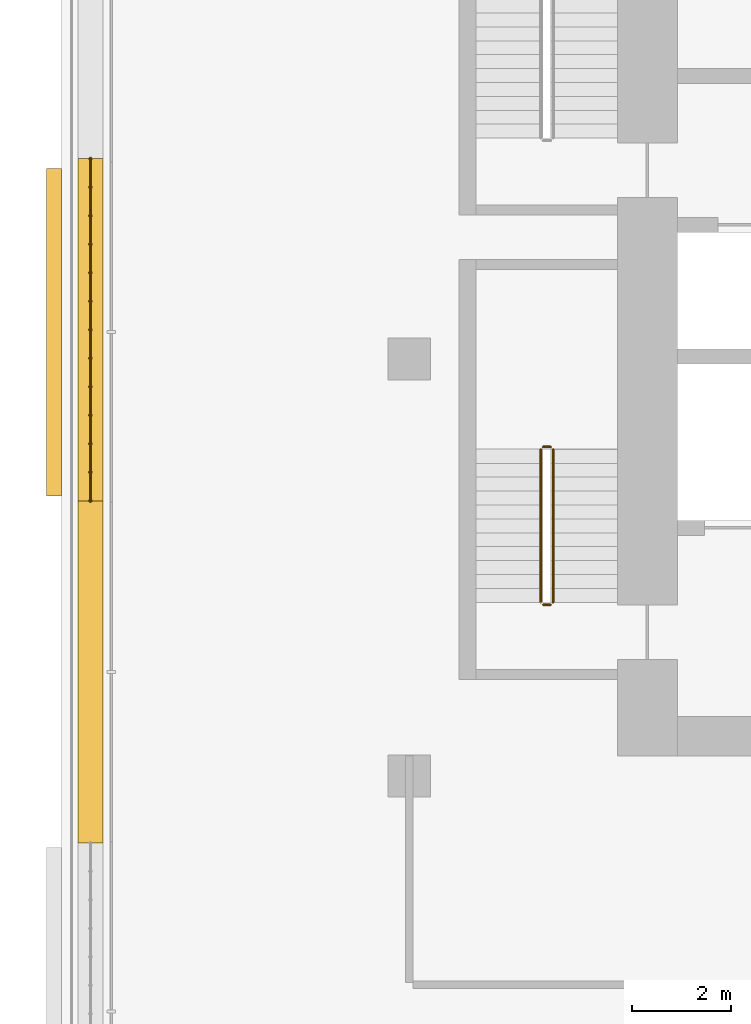
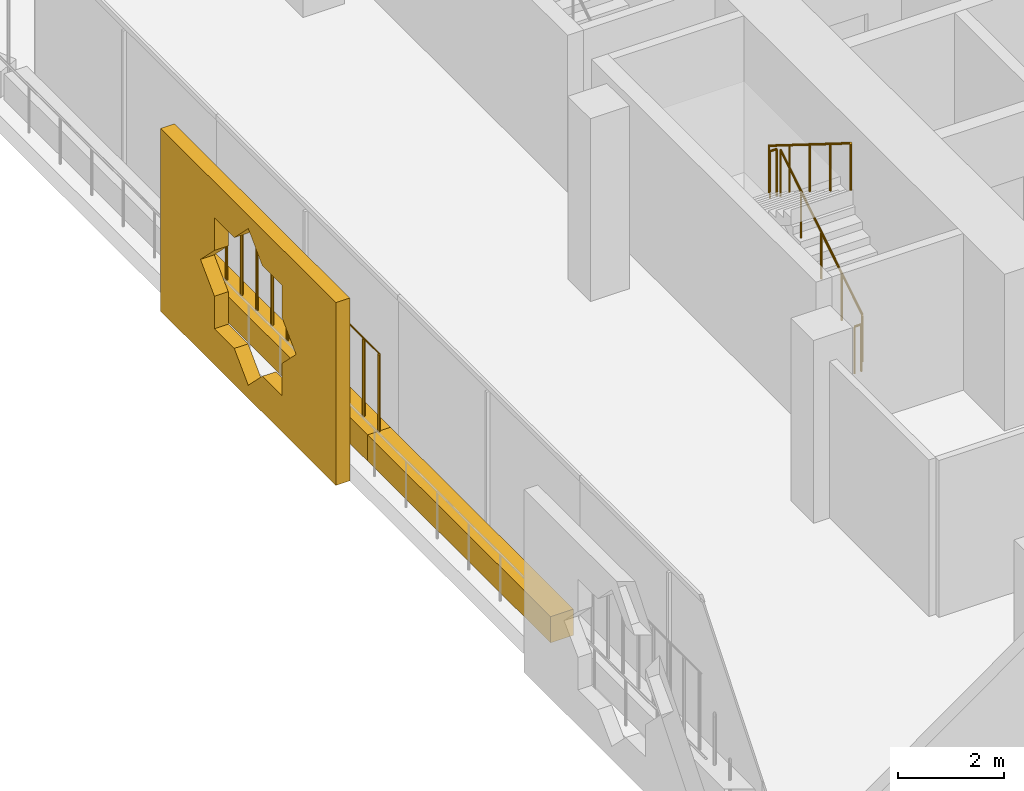
# One storey, part 16 of 22: 5 railings, 3 coverings.
"""IFC4 building model written with IfcOpenShell, lengths in metres."""

from ifc_helpers import new_model, si_unit, direction, frame, origin, origin_2d, place, context, subcontext, project, spatial, polyline, rectangle, circle, outline, extrude, material, material_profile, profile_set, type_object, element, save


model = new_model("IFC4")

# Units and contexts
model_context = context("Model", 3, precision=1e-05, world=origin(), true_north=direction((0.0, 1.0)))
body_context = subcontext(model_context, "Body", "Model", "MODEL_VIEW")
ifc_project = project(units=[si_unit("LENGTHUNIT", "METRE"), si_unit("AREAUNIT", "SQUARE_METRE"), si_unit("VOLUMEUNIT", "CUBIC_METRE"), si_unit("PLANEANGLEUNIT", "RADIAN"), si_unit("MASSUNIT", "GRAM", prefix="KILO")], contexts=[model_context])

# Site, building, storey
site_placement = place(None, origin())
site = spatial("IfcSite", under=ifc_project, at=site_placement, CompositionType="ELEMENT")
building_placement = place(site_placement, origin())
building = spatial("IfcBuilding", under=site, at=building_placement, Name="Kawkab Arch Medical Tower", CompositionType="ELEMENT")
storey_placement = place(building_placement, frame((0.0, 0.0, 255.800048828125)))
storey = spatial("IfcBuildingStorey", under=building, at=storey_placement, Name="L59", CompositionType="ELEMENT", Elevation=255.800048828125)

# Coverings
ifc_material_1 = material(Name="Bronze anodised aluminium mashrabiya panel, eight-point star pattern", Category="aluminium")
ifc_material_profile_1 = material_profile(ifc_material_1, outline(polyline([(-3.300048828125, -2.10009765625), (3.300048828125, -2.10009765625), (3.300048828125, 2.10009765625), (-3.300048828125, 2.10009765625), (-3.300048828125, -2.10009765625)]), holes=[polyline([(1.800048828125, 0.0), (1.272705078125, 0.527099609375), (1.272705078125, 1.272705078125), (0.527099609375, 1.272705078125), (0.0, 1.800048828125), (-0.527099609375, 1.272705078125), (-1.272705078125, 1.272705078125), (-1.272705078125, 0.527099609375), (-1.800048828125, 0.0), (-1.272705078125, -0.527099609375), (-1.272705078125, -1.272705078125), (-0.527099609375, -1.272705078125), (0.0, -1.800048828125), (0.527099609375, -1.272705078125), (1.272705078125, -1.272705078125), (1.272705078125, -0.527099609375), (1.800048828125, 0.0)])]), Name="Mashrabiya panel 6600x4200")
ifc_profile_set_1 = profile_set([ifc_material_profile_1], Name="Bronze anodised aluminium mashrabiya panel, eight-point star pattern")
covering_type_1 = type_object("IfcCoveringType", Name="Mashrabiya panel 6600 x 4200", PredefinedType="USERDEFINED", material=ifc_profile_set_1)
covering_1_placement = place(storey_placement, frame((-7.0, -16.259033203125, 1.699951171875), z_axis=(-1.0, 0.0, 0.0), x_axis=(0.0, -1.0, 0.0)))
element("IfcCovering", 1, at=covering_1_placement, inside=storey, type_object=covering_type_1, Name="Mashrabiya panel L59.LOG-01-01.4", ObjectType="SCREEN", PredefinedType="USERDEFINED", context=body_context, shape_type="SweptSolid", body=[
    extrude(outline(polyline([(-3.300048828125, -2.10009765625), (3.300048828125, -2.10009765625), (3.300048828125, 2.10009765625), (-3.300048828125, 2.10009765625), (-3.300048828125, -2.10009765625)]), holes=[polyline([(1.800048828125, 0.0), (1.272705078125, 0.527099609375), (1.272705078125, 1.272705078125), (0.527099609375, 1.272705078125), (0.0, 1.800048828125), (-0.527099609375, 1.272705078125), (-1.272705078125, 1.272705078125), (-1.272705078125, 0.527099609375), (-1.800048828125, 0.0), (-1.272705078125, -0.527099609375), (-1.272705078125, -1.272705078125), (-0.527099609375, -1.272705078125), (0.0, -1.800048828125), (0.527099609375, -1.272705078125), (1.272705078125, -1.272705078125), (1.272705078125, -0.527099609375), (1.800048828125, 0.0)])]), origin(), (0.0, 0.0, 1.0), 0.300048828125),
])
ifc_material_2 = material(Name="Planting soil in a precast trough", Category="concrete")
ifc_material_profile_2 = material_profile(ifc_material_2, rectangle(XDim=0.5, YDim=0.60009765625, at=origin_2d()), Name="Trough 500x600")
ifc_profile_set_2 = profile_set([ifc_material_profile_2], Name="Planting soil in a precast trough")
covering_type_2 = type_object("IfcCoveringType", Name="Planter trough 500 x 600", PredefinedType="USERDEFINED", material=ifc_profile_set_2)
covering_2_placement = place(storey_placement, frame((-6.419921875, -26.544921875, 0.300048828125), z_axis=(0.0, 1.0, 0.0), x_axis=(-1.0, 0.0, 0.0)))
element("IfcCovering", 2, at=covering_2_placement, inside=storey, type_object=covering_type_2, Name="Planter L59.LOG-01-01.10", ObjectType="PLANTER", PredefinedType="USERDEFINED", context=body_context, shape_type="SweptSolid", body=[
    extrude(rectangle(XDim=0.5, YDim=0.60009765625, at=origin_2d()), origin(), (0.0, 0.0, 1.0), 6.889892578125),
])
covering_3_placement = place(storey_placement, frame((-6.419921875, -19.655029296875, 0.300048828125), z_axis=(0.0, 1.0, 0.0), x_axis=(-1.0, 0.0, 0.0)))
element("IfcCovering", 3, at=covering_3_placement, inside=storey, type_object=covering_type_2, Name="Planter L59.LOG-01-01.11", ObjectType="PLANTER", PredefinedType="USERDEFINED", context=body_context, shape_type="SweptSolid", body=[
    extrude(rectangle(XDim=0.5, YDim=0.60009765625, at=origin_2d()), origin(), (0.0, 0.0, 1.0), 6.89111328125),
])

# Railings
ifc_material_3 = material(Name="Bronze anodised aluminium trellis for climbing plants", Category="aluminium")
railing_type_1 = type_object("IfcRailingType", Name="Planting trellis 2400", PredefinedType="USERDEFINED", material=ifc_material_3)
railing_1_placement = place(storey_placement, frame((-6.419921875, -19.655029296875, 0.0)))
element("IfcRailing", 4, at=railing_1_placement, inside=storey, type_object=railing_type_1, Name="Planting trellis L59.LOG-01-01.11", ObjectType="TRELLIS", PredefinedType="USERDEFINED", context=body_context, shape_type="SweptSolid", body=[
    extrude(circle(Radius=0.01513671875, at=origin_2d()), frame((0.0, 0.0, 2.384765625), z_axis=(0.0, 1.0, 0.0), x_axis=(-1.0, 0.0, 0.0)), (0.0, 0.0, 1.0), 6.89111328125),
    extrude(circle(Radius=0.030029296875, at=origin_2d()), origin(), (0.0, 0.0, 1.0), 2.369873046875),
    extrude(circle(Radius=0.030029296875, at=origin_2d()), frame((0.0, 0.57421875, 0.0)), (0.0, 0.0, 1.0), 2.369873046875),
    extrude(circle(Radius=0.030029296875, at=origin_2d()), frame((0.0, 1.1484375, 0.0)), (0.0, 0.0, 1.0), 2.369873046875),
    extrude(circle(Radius=0.030029296875, at=origin_2d()), frame((0.0, 1.72265625, 0.0)), (0.0, 0.0, 1.0), 2.369873046875),
    extrude(circle(Radius=0.030029296875, at=origin_2d()), frame((0.0, 2.297119140625, 0.0)), (0.0, 0.0, 1.0), 2.369873046875),
    extrude(circle(Radius=0.030029296875, at=origin_2d()), frame((0.0, 2.871337890625, 0.0)), (0.0, 0.0, 1.0), 2.369873046875),
    extrude(circle(Radius=0.030029296875, at=origin_2d()), frame((0.0, 3.445556640625, 0.0)), (0.0, 0.0, 1.0), 2.369873046875),
    extrude(circle(Radius=0.030029296875, at=origin_2d()), frame((0.0, 4.019775390625, 0.0)), (0.0, 0.0, 1.0), 2.369873046875),
    extrude(circle(Radius=0.030029296875, at=origin_2d()), frame((0.0, 4.593994140625, 0.0)), (0.0, 0.0, 1.0), 2.369873046875),
    extrude(circle(Radius=0.030029296875, at=origin_2d()), frame((0.0, 5.16845703125, 0.0)), (0.0, 0.0, 1.0), 2.369873046875),
    extrude(circle(Radius=0.030029296875, at=origin_2d()), frame((0.0, 5.74267578125, 0.0)), (0.0, 0.0, 1.0), 2.369873046875),
    extrude(circle(Radius=0.030029296875, at=origin_2d()), frame((0.0, 6.31689453125, 0.0)), (0.0, 0.0, 1.0), 2.369873046875),
    extrude(circle(Radius=0.030029296875, at=origin_2d()), frame((0.0, 6.89111328125, 0.0)), (0.0, 0.0, 1.0), 2.369873046875),
])
ifc_material_4 = material(Name="Stainless steel", Category="steel")
railing_type_2 = type_object("IfcRailingType", Name="Stair guard 1100", PredefinedType="GUARDRAIL", material=ifc_material_4)
railing_2_placement = place(storey_placement, frame((2.89990234375, -21.699951171875, 0.175048828125)))
element("IfcRailing", 5, at=railing_2_placement, inside=storey, type_object=railing_type_2, Name="L59 ST2 stair guard 1", PredefinedType="GUARDRAIL", context=body_context, shape_type="SweptSolid", body=[
    extrude(circle(Radius=0.02392578125, at=origin_2d()), frame((0.0, 0.0, 1.076171875), z_axis=(0.0, 0.848009633417, 0.529980812513), x_axis=(-1.0, 0.0, 0.0)), (0.0, 0.0, 1.0), 3.6318359375),
    extrude(circle(Radius=0.02099609375, at=origin_2d()), origin(), (0.0, 0.0, 1.0), 1.052001953125),
    extrude(circle(Radius=0.02099609375, at=origin_2d()), frame((0.0, 0.77001953125, 0.481201171875)), (0.0, 0.0, 1.0), 1.052001953125),
    extrude(circle(Radius=0.02099609375, at=origin_2d()), frame((0.0, 1.5400390625, 0.96240234375)), (0.0, 0.0, 1.0), 1.052001953125),
    extrude(circle(Radius=0.02099609375, at=origin_2d()), frame((0.0, 2.309814453125, 1.443603515625)), (0.0, 0.0, 1.0), 1.052001953125),
    extrude(circle(Radius=0.02099609375, at=origin_2d()), frame((0.0, 3.079833984375, 1.9248046875)), (0.0, 0.0, 1.0), 1.052001953125),
])
railing_3_placement = place(storey_placement, frame((2.85009765625, -18.570068359375, 2.099853515625)))
element("IfcRailing", 6, at=railing_3_placement, inside=storey, type_object=railing_type_2, Name="L59 ST2 stair guard 2", PredefinedType="GUARDRAIL", context=body_context, shape_type="SweptSolid", body=[
    extrude(circle(Radius=0.02392578125, at=origin_2d()), frame((0.0, 0.0, 1.076171875), z_axis=(-1.0, 0.0, 0.0), x_axis=(0.0, -1.0, 0.0)), (0.0, 0.0, 1.0), 0.150146484375),
    extrude(circle(Radius=0.02099609375, at=origin_2d()), origin(), (0.0, 0.0, 1.0), 1.052001953125),
    extrude(circle(Radius=0.02099609375, at=origin_2d()), frame((-0.150146484375, 0.0, 0.0)), (0.0, 0.0, 1.0), 1.052001953125),
])
railing_4_placement = place(storey_placement, frame((2.64990234375, -18.6201171875, 2.27490234375)))
element("IfcRailing", 7, at=railing_4_placement, inside=storey, type_object=railing_type_2, Name="L59 ST2 stair guard 3", PredefinedType="GUARDRAIL", context=body_context, shape_type="SweptSolid", body=[
    extrude(circle(Radius=0.02392578125, at=origin_2d()), frame((0.0, 0.0, 1.076171875), z_axis=(0.0, -0.847979421464, 0.530029150871), x_axis=(1.0, 0.0, 0.0)), (0.0, 0.0, 1.0), 3.632080078125),
    extrude(circle(Radius=0.02099609375, at=origin_2d()), origin(), (0.0, 0.0, 1.0), 1.052001953125),
    extrude(circle(Radius=0.02099609375, at=origin_2d()), frame((0.0, -0.77001953125, 0.481201171875)), (0.0, 0.0, 1.0), 1.052001953125),
    extrude(circle(Radius=0.02099609375, at=origin_2d()), frame((0.0, -1.5400390625, 0.96240234375)), (0.0, 0.0, 1.0), 1.052001953125),
    extrude(circle(Radius=0.02099609375, at=origin_2d()), frame((0.0, -2.309814453125, 1.44384765625)), (0.0, 0.0, 1.0), 1.052001953125),
    extrude(circle(Radius=0.02099609375, at=origin_2d()), frame((0.0, -3.079833984375, 1.925048828125)), (0.0, 0.0, 1.0), 1.052001953125),
])
railing_5_placement = place(storey_placement, frame((2.85009765625, -21.75, 0.0)))
element("IfcRailing", 8, at=railing_5_placement, inside=storey, type_object=railing_type_2, Name="L59 ST2 stair guard 4", PredefinedType="GUARDRAIL", context=body_context, shape_type="SweptSolid", body=[
    extrude(circle(Radius=0.02392578125, at=origin_2d()), frame((0.0, 0.0, 1.076171875), z_axis=(-1.0, 0.0, 0.0), x_axis=(0.0, -1.0, 0.0)), (0.0, 0.0, 1.0), 0.150146484375),
    extrude(circle(Radius=0.02099609375, at=origin_2d()), origin(), (0.0, 0.0, 1.0), 1.052001953125),
    extrude(circle(Radius=0.02099609375, at=origin_2d()), frame((-0.150146484375, 0.0, 0.0)), (0.0, 0.0, 1.0), 1.052001953125),
])

save(model, "model.ifc")
